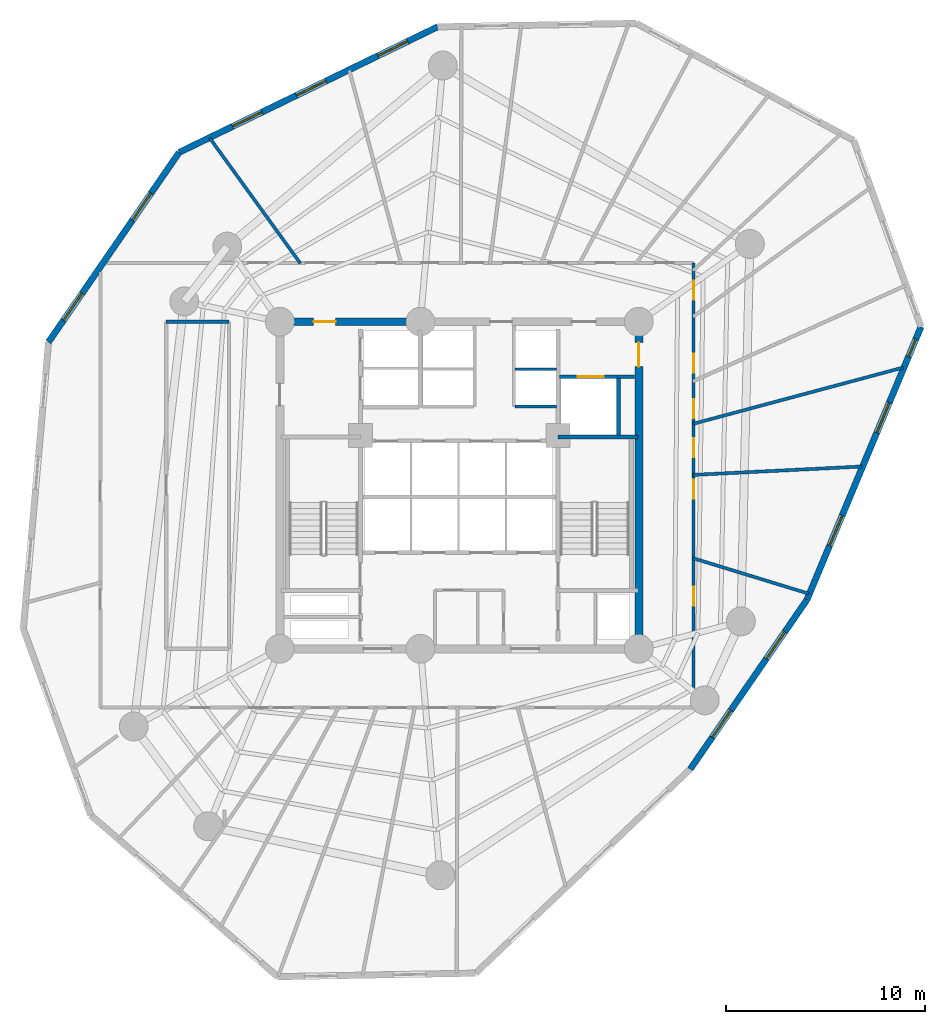
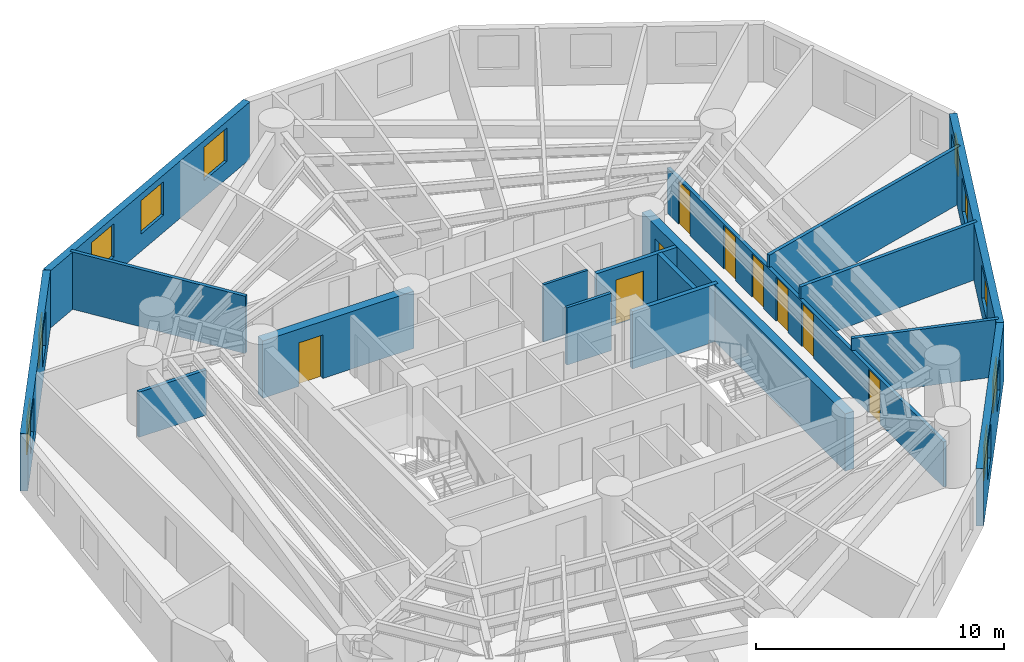
# One storey, part 5 of 8: 17 walls, 10 windows, 9 doors, 19 openings.
"""IFC4 building model written with IfcOpenShell, lengths in metres."""

from ifc_helpers import new_model, si_unit, direction, frame, frame_2d, origin, origin_with_axes, place, context, subcontext, project, spatial, rectangle, extrude, source, transform, mapped, material, layer, layer_set, type_object, element, fill, save


model = new_model("IFC4")

# Units and contexts
model_context = context("Model", 3, precision=1e-05, world=origin(), true_north=direction((0.0, 1.0)))
body_context = subcontext(model_context, "Body", "Model", "MODEL_VIEW")
ifc_project = project(units=[si_unit("LENGTHUNIT", "METRE"), si_unit("AREAUNIT", "SQUARE_METRE"), si_unit("VOLUMEUNIT", "CUBIC_METRE"), si_unit("PLANEANGLEUNIT", "RADIAN"), si_unit("MASSUNIT", "GRAM", prefix="KILO")], contexts=[model_context])

# Site, building, storey
site_placement = place(None, origin())
site = spatial("IfcSite", under=ifc_project, at=site_placement, CompositionType="ELEMENT")
building_placement = place(site_placement, origin())
building = spatial("IfcBuilding", under=site, at=building_placement, Name="Karkom Vertical University and Central Library", CompositionType="ELEMENT")
storey_placement = place(building_placement, frame((0.0, 0.0, 102.300048828125)))
storey = spatial("IfcBuildingStorey", under=building, at=storey_placement, Name="L27", CompositionType="ELEMENT", Elevation=102.300048828125)

# Wall, openings, windows
ifc_material_1 = material(Name="Brick-faced precast concrete C45/55", Category="masonry")
ifc_layer_1 = layer(ifc_material_1, 0.320068359375)
ifc_layer_set_1 = layer_set([ifc_layer_1], Name="Brick-faced precast concrete C45/55")
wall_type_1 = type_object("IfcWallType", Name="ENV-WL-BRK-320", PredefinedType="SOLIDWALL", material=ifc_layer_set_1)
wall_1_placement = place(storey_placement, frame((14.450927734375, 43.195556640625, 0.0), z_axis=(0.0, 0.0, 1.0), x_axis=(-0.567274361507, -0.823528869425, 0.0)))
wall_1 = element("IfcWall", 1, at=wall_1_placement, inside=storey, type_object=wall_type_1, Name="Level 27 Brick-Faced Precast Facade Wall 01", PredefinedType="SOLIDWALL", context=body_context, shape_type="SweptSolid", body=[
    extrude(rectangle(XDim=11.559326171875, YDim=0.320068359375, at=frame_2d((5.77978515625, 0.0))), origin(), (0.0, 0.0, 1.0), 2.824951171875),
])
opening_1_placement = place(wall_1_placement, frame((2.4892578125, 0.0, 0.85009765625)))
opening_1 = element("IfcOpeningElement", 2, at=opening_1_placement, cuts=wall_1, Name="Opening WN-06", PredefinedType="OPENING", context=body_context, shape_type="SweptSolid", body=[
    extrude(rectangle(XDim=1.64990234375, YDim=1.64990234375, at=frame_2d((0.824951171875, 0.824951171875))), frame((0.0, 0.169921875, 0.0), z_axis=(0.0, -1.0, 0.0), x_axis=(1.0, 0.0, 0.0)), (0.0, 0.0, 1.0), 0.340087890625),
])
opening_2_placement = place(wall_1_placement, frame((8.581298828125, 0.0, 0.85009765625)))
opening_2 = element("IfcOpeningElement", 3, at=opening_2_placement, cuts=wall_1, Name="Opening WN-06", PredefinedType="OPENING", context=body_context, shape_type="SweptSolid", body=[
    extrude(rectangle(XDim=1.64990234375, YDim=1.64990234375, at=frame_2d((0.824951171875, 0.824951171875))), frame((0.0, 0.169921875, 0.0), z_axis=(0.0, -1.0, 0.0), x_axis=(1.0, 0.0, 0.0)), (0.0, 0.0, 1.0), 0.340087890625),
])
ifc_material_2 = material(Name="Aluminium thermal-break frame with solar-control IGU", Category="aluminium")
window_type_1 = type_object("IfcWindowType", Name="ENV-WIN-WN-06", PartitioningType="SINGLE_PANEL", PredefinedType="WINDOW", material=ifc_material_2)
shared_shape_1 = source(origin_with_axes(), body_context, "Body", "SweptSolid", [
    extrude(rectangle(XDim=1.64990234375, YDim=1.64990234375, at=frame_2d((0.824951171875, 0.824951171875))), frame((0.0, 0.030029296875, 0.0), z_axis=(0.0, -1.0, 0.0), x_axis=(1.0, 0.0, 0.0)), (0.0, 0.0, 1.0), 0.06005859375),
])
window_1_placement = place(opening_1_placement, origin())
window_1 = element("IfcWindow", 4, at=window_1_placement, inside=storey, type_object=window_type_1, Name="Level 27 Punched Window 1.1", OverallHeight=1.64990234375, OverallWidth=1.64990234375, PartitioningType="SINGLE_PANEL", PredefinedType="WINDOW", context=body_context, shape_type="MappedRepresentation", body=[
    mapped(shared_shape_1, transform((0.0, 0.0, 0.0), scale=1.0)),
])
fill(opening_1, window_1)
window_2_placement = place(opening_2_placement, origin())
window_2 = element("IfcWindow", 5, at=window_2_placement, inside=storey, type_object=window_type_1, Name="Level 27 Punched Window 1.2", OverallHeight=1.64990234375, OverallWidth=1.64990234375, PartitioningType="SINGLE_PANEL", PredefinedType="WINDOW", context=body_context, shape_type="MappedRepresentation", body=[
    mapped(shared_shape_1, transform((0.0, 0.0, 0.0), scale=1.0)),
])
fill(opening_2, window_2)

wall_2_placement = place(storey_placement, frame((40.081787109375, 12.25634765625, 0.0), z_axis=(0.0, 0.0, 1.0), x_axis=(0.567268515961, 0.823532896003, 0.0)))
wall_2 = element("IfcWall", 6, at=wall_2_placement, inside=storey, type_object=wall_type_1, Name="Level 27 Brick-Faced Precast Facade Wall 07", PredefinedType="SOLIDWALL", context=body_context, shape_type="SweptSolid", body=[
    extrude(rectangle(XDim=10.320556640625, YDim=0.320068359375, at=frame_2d((5.16015625, 0.0))), origin(), (0.0, 0.0, 1.0), 2.824951171875),
])
opening_3_placement = place(wall_2_placement, frame((1.945068359375, 0.0, 0.85009765625)))
opening_3 = element("IfcOpeningElement", 7, at=opening_3_placement, cuts=wall_2, Name="Opening WN-06", PredefinedType="OPENING", context=body_context, shape_type="SweptSolid", body=[
    extrude(rectangle(XDim=1.64990234375, YDim=1.64990234375, at=frame_2d((0.824951171875, 0.824951171875))), frame((0.0, 0.169921875, 0.0), z_axis=(0.0, -1.0, 0.0), x_axis=(1.0, 0.0, 0.0)), (0.0, 0.0, 1.0), 0.340087890625),
])
opening_4_placement = place(wall_2_placement, frame((6.725341796875, 0.0, 0.85009765625)))
opening_4 = element("IfcOpeningElement", 8, at=opening_4_placement, cuts=wall_2, Name="Opening WN-06", PredefinedType="OPENING", context=body_context, shape_type="SweptSolid", body=[
    extrude(rectangle(XDim=1.64990234375, YDim=1.64990234375, at=frame_2d((0.824951171875, 0.824951171875))), frame((0.0, 0.169921875, 0.0), z_axis=(0.0, -1.0, 0.0), x_axis=(1.0, 0.0, 0.0)), (0.0, 0.0, 1.0), 0.340087890625),
])
window_3_placement = place(opening_3_placement, origin())
window_3 = element("IfcWindow", 9, at=window_3_placement, inside=storey, type_object=window_type_1, Name="Level 27 Punched Window 7.1", OverallHeight=1.64990234375, OverallWidth=1.64990234375, PartitioningType="SINGLE_PANEL", PredefinedType="WINDOW", context=body_context, shape_type="MappedRepresentation", body=[
    mapped(shared_shape_1, transform((0.0, 0.0, 0.0), scale=1.0)),
])
fill(opening_3, window_3)
window_4_placement = place(opening_4_placement, origin())
window_4 = element("IfcWindow", 10, at=window_4_placement, inside=storey, type_object=window_type_1, Name="Level 27 Punched Window 7.2", OverallHeight=1.64990234375, OverallWidth=1.64990234375, PartitioningType="SINGLE_PANEL", PredefinedType="WINDOW", context=body_context, shape_type="MappedRepresentation", body=[
    mapped(shared_shape_1, transform((0.0, 0.0, 0.0), scale=1.0)),
])
fill(opening_4, window_4)

wall_3_placement = place(storey_placement, frame((45.936279296875, 20.755615234375, 0.0), z_axis=(0.0, 0.0, 1.0), x_axis=(0.385481630265, 0.922715510181, 0.0)))
wall_3 = element("IfcWall", 11, at=wall_3_placement, inside=storey, type_object=wall_type_1, Name="Level 27 Brick-Faced Precast Facade Wall 08", PredefinedType="SOLIDWALL", context=body_context, shape_type="SweptSolid", body=[
    extrude(rectangle(XDim=14.84619140625, YDim=0.320068359375, at=frame_2d((7.423095703125, 0.0))), origin(), (0.0, 0.0, 1.0), 2.824951171875),
])
opening_5_placement = place(wall_3_placement, frame((2.94091796875, 0.0, 0.85009765625)))
opening_5 = element("IfcOpeningElement", 12, at=opening_5_placement, cuts=wall_3, Name="Opening WN-06", PredefinedType="OPENING", context=body_context, shape_type="SweptSolid", body=[
    extrude(rectangle(XDim=1.64990234375, YDim=1.64990234375, at=frame_2d((0.824951171875, 0.824951171875))), frame((0.0, 0.169921875, 0.0), z_axis=(0.0, -1.0, 0.0), x_axis=(1.0, 0.0, 0.0)), (0.0, 0.0, 1.0), 0.340087890625),
])
opening_6_placement = place(wall_3_placement, frame((9.076416015625, 0.0, 0.85009765625)))
opening_6 = element("IfcOpeningElement", 13, at=opening_6_placement, cuts=wall_3, Name="Opening WN-06", PredefinedType="OPENING", context=body_context, shape_type="SweptSolid", body=[
    extrude(rectangle(XDim=1.64990234375, YDim=1.64990234375, at=frame_2d((0.824951171875, 0.824951171875))), frame((0.0, 0.169921875, 0.0), z_axis=(0.0, -1.0, 0.0), x_axis=(1.0, 0.0, 0.0)), (0.0, 0.0, 1.0), 0.340087890625),
])
opening_7_placement = place(wall_3_placement, frame((13.211669921875, 0.0, 0.85009765625)))
opening_7 = element("IfcOpeningElement", 14, at=opening_7_placement, cuts=wall_3, Name="Opening WN-12", PredefinedType="OPENING", context=body_context, shape_type="SweptSolid", body=[
    extrude(rectangle(XDim=0.949951171875, YDim=1.5, at=frame_2d((0.47509765625, 0.75))), frame((0.0, 0.169921875, 0.0), z_axis=(0.0, -1.0, 0.0), x_axis=(1.0, 0.0, 0.0)), (0.0, 0.0, 1.0), 0.340087890625),
])
window_5_placement = place(opening_5_placement, origin())
window_5 = element("IfcWindow", 15, at=window_5_placement, inside=storey, type_object=window_type_1, Name="Level 27 Punched Window 8.1", OverallHeight=1.64990234375, OverallWidth=1.64990234375, PartitioningType="SINGLE_PANEL", PredefinedType="WINDOW", context=body_context, shape_type="MappedRepresentation", body=[
    mapped(shared_shape_1, transform((0.0, 0.0, 0.0), scale=1.0)),
])
fill(opening_5, window_5)
window_6_placement = place(opening_6_placement, origin())
window_6 = element("IfcWindow", 16, at=window_6_placement, inside=storey, type_object=window_type_1, Name="Level 27 Punched Window 8.2", OverallHeight=1.64990234375, OverallWidth=1.64990234375, PartitioningType="SINGLE_PANEL", PredefinedType="WINDOW", context=body_context, shape_type="MappedRepresentation", body=[
    mapped(shared_shape_1, transform((0.0, 0.0, 0.0), scale=1.0)),
])
fill(opening_6, window_6)
window_type_2 = type_object("IfcWindowType", Name="ENV-WIN-WN-12", PartitioningType="SINGLE_PANEL", PredefinedType="WINDOW", material=ifc_material_2)
shared_shape_2 = source(origin_with_axes(), body_context, "Body", "SweptSolid", [
    extrude(rectangle(XDim=0.949951171875, YDim=1.5, at=frame_2d((0.47509765625, 0.75))), frame((0.0, 0.030029296875, 0.0), z_axis=(0.0, -1.0, 0.0), x_axis=(1.0, 0.0, 0.0)), (0.0, 0.0, 1.0), 0.06005859375),
])
window_7_placement = place(opening_7_placement, origin())
window_7 = element("IfcWindow", 17, at=window_7_placement, inside=storey, type_object=window_type_2, Name="Level 27 Punched Window 8.3", OverallHeight=1.5, OverallWidth=0.949951171875, PartitioningType="SINGLE_PANEL", PredefinedType="WINDOW", context=body_context, shape_type="MappedRepresentation", body=[
    mapped(shared_shape_2, transform((0.0, 0.0, 0.0), scale=1.0)),
])
fill(opening_7, window_7)

wall_4_placement = place(storey_placement, frame((27.417724609375, 49.49560546875, 0.0), z_axis=(0.0, 0.0, 1.0), x_axis=(-0.899456619974, -0.437010055702, 0.0)))
wall_4 = element("IfcWall", 18, at=wall_4_placement, inside=storey, type_object=wall_type_1, Name="Level 27 Brick-Faced Precast Facade Wall 12", PredefinedType="SOLIDWALL", context=body_context, shape_type="SweptSolid", body=[
    extrude(rectangle(XDim=14.416259765625, YDim=0.320068359375, at=frame_2d((7.2080078125, 0.0))), origin(), (0.0, 0.0, 1.0), 2.824951171875),
])
opening_8_placement = place(wall_4_placement, frame((1.67919921875, 0.0, 0.85009765625)))
opening_8 = element("IfcOpeningElement", 19, at=opening_8_placement, cuts=wall_4, Name="Opening WN-06", PredefinedType="OPENING", context=body_context, shape_type="SweptSolid", body=[
    extrude(rectangle(XDim=1.64990234375, YDim=1.64990234375, at=frame_2d((0.824951171875, 0.824951171875))), frame((0.0, 0.169921875, 0.0), z_axis=(0.0, -1.0, 0.0), x_axis=(1.0, 0.0, 0.0)), (0.0, 0.0, 1.0), 0.340087890625),
])
opening_9_placement = place(wall_4_placement, frame((6.2255859375, 0.0, 0.85009765625)))
opening_9 = element("IfcOpeningElement", 20, at=opening_9_placement, cuts=wall_4, Name="Opening WN-06", PredefinedType="OPENING", context=body_context, shape_type="SweptSolid", body=[
    extrude(rectangle(XDim=1.64990234375, YDim=1.64990234375, at=frame_2d((0.824951171875, 0.824951171875))), frame((0.0, 0.169921875, 0.0), z_axis=(0.0, -1.0, 0.0), x_axis=(1.0, 0.0, 0.0)), (0.0, 0.0, 1.0), 0.340087890625),
])
opening_10_placement = place(wall_4_placement, frame((9.789794921875, 0.0, 0.85009765625)))
opening_10 = element("IfcOpeningElement", 21, at=opening_10_placement, cuts=wall_4, Name="Opening WN-06", PredefinedType="OPENING", context=body_context, shape_type="SweptSolid", body=[
    extrude(rectangle(XDim=1.64990234375, YDim=1.64990234375, at=frame_2d((0.824951171875, 0.824951171875))), frame((0.0, 0.169921875, 0.0), z_axis=(0.0, -1.0, 0.0), x_axis=(1.0, 0.0, 0.0)), (0.0, 0.0, 1.0), 0.340087890625),
])
window_8_placement = place(opening_8_placement, origin())
window_8 = element("IfcWindow", 22, at=window_8_placement, inside=storey, type_object=window_type_1, Name="Level 27 Punched Window 12.1", OverallHeight=1.64990234375, OverallWidth=1.64990234375, PartitioningType="SINGLE_PANEL", PredefinedType="WINDOW", context=body_context, shape_type="MappedRepresentation", body=[
    mapped(shared_shape_1, transform((0.0, 0.0, 0.0), scale=1.0)),
])
fill(opening_8, window_8)
window_9_placement = place(opening_9_placement, origin())
window_9 = element("IfcWindow", 23, at=window_9_placement, inside=storey, type_object=window_type_1, Name="Level 27 Punched Window 12.2", OverallHeight=1.64990234375, OverallWidth=1.64990234375, PartitioningType="SINGLE_PANEL", PredefinedType="WINDOW", context=body_context, shape_type="MappedRepresentation", body=[
    mapped(shared_shape_1, transform((0.0, 0.0, 0.0), scale=1.0)),
])
fill(opening_9, window_9)
window_10_placement = place(opening_10_placement, origin())
window_10 = element("IfcWindow", 24, at=window_10_placement, inside=storey, type_object=window_type_1, Name="Level 27 Punched Window 12.3", OverallHeight=1.64990234375, OverallWidth=1.64990234375, PartitioningType="SINGLE_PANEL", PredefinedType="WINDOW", context=body_context, shape_type="MappedRepresentation", body=[
    mapped(shared_shape_1, transform((0.0, 0.0, 0.0), scale=1.0)),
])
fill(opening_10, window_10)

# Wall, openings, doors
ifc_material_3 = material(Name="Insulated metal-stud drywall 160mm", Category="gypsum")
ifc_layer_2 = layer(ifc_material_3, 0.159912109375)
ifc_layer_set_2 = layer_set([ifc_layer_2], Name="Insulated metal-stud drywall 160mm")
wall_type_2 = type_object("IfcWallType", Name="INT-WL-COR-160", PredefinedType="PARTITIONING", material=ifc_layer_set_2)
wall_5_placement = place(storey_placement, frame((40.25, 37.64990234375, 0.0), z_axis=(0.0, 0.0, 1.0), x_axis=(0.0, -1.0, 0.0)))
wall_5 = element("IfcWall", 25, at=wall_5_placement, inside=storey, type_object=wall_type_2, Name="Level 27 Interior Partition Wall L27-CORW-CW-004", PredefinedType="PARTITIONING", context=body_context, shape_type="SweptSolid", body=[
    extrude(rectangle(XDim=22.2998046875, YDim=0.159912109375, at=frame_2d((11.14990234375, 0.0))), origin(), (0.0, 0.0, 1.0), 2.224853515625),
])
opening_11_placement = place(wall_5_placement, frame((16.25, 0.0, 0.0)))
opening_11 = element("IfcOpeningElement", 26, at=opening_11_placement, cuts=wall_5, Name="Opening D-RM1", PredefinedType="OPENING", context=body_context, shape_type="SweptSolid", body=[
    extrude(rectangle(XDim=0.949951171875, YDim=2.14990234375, at=frame_2d((0.47509765625, 1.074951171875))), frame((0.0, 0.08984375, 0.0), z_axis=(0.0, -1.0, 0.0), x_axis=(1.0, 0.0, 0.0)), (0.0, 0.0, 1.0), 0.179931640625),
])
opening_12_placement = place(wall_5_placement, frame((10.864990234375, 0.0, 0.0)))
opening_12 = element("IfcOpeningElement", 27, at=opening_12_placement, cuts=wall_5, Name="Opening D-RM1", PredefinedType="OPENING", context=body_context, shape_type="SweptSolid", body=[
    extrude(rectangle(XDim=0.949951171875, YDim=2.14990234375, at=frame_2d((0.47509765625, 1.074951171875))), frame((0.0, 0.08984375, 0.0), z_axis=(0.0, -1.0, 0.0), x_axis=(1.0, 0.0, 0.0)), (0.0, 0.0, 1.0), 0.179931640625),
])
opening_13_placement = place(wall_5_placement, frame((8.7978515625, 0.0, 0.0)))
opening_13 = element("IfcOpeningElement", 28, at=opening_13_placement, cuts=wall_5, Name="Opening D-RM1", PredefinedType="OPENING", context=body_context, shape_type="SweptSolid", body=[
    extrude(rectangle(XDim=0.949951171875, YDim=2.14990234375, at=frame_2d((0.47509765625, 1.074951171875))), frame((0.0, 0.08984375, 0.0), z_axis=(0.0, -1.0, 0.0), x_axis=(1.0, 0.0, 0.0)), (0.0, 0.0, 1.0), 0.179931640625),
])
opening_14_placement = place(wall_5_placement, frame((6.840087890625, 0.0, 0.0)))
opening_14 = element("IfcOpeningElement", 29, at=opening_14_placement, cuts=wall_5, Name="Opening D-RM1", PredefinedType="OPENING", context=body_context, shape_type="SweptSolid", body=[
    extrude(rectangle(XDim=0.949951171875, YDim=2.14990234375, at=frame_2d((0.47509765625, 1.074951171875))), frame((0.0, 0.08984375, 0.0), z_axis=(0.0, -1.0, 0.0), x_axis=(1.0, 0.0, 0.0)), (0.0, 0.0, 1.0), 0.179931640625),
])
opening_15_placement = place(wall_5_placement, frame((4.56005859375, 0.0, 0.0)))
opening_15 = element("IfcOpeningElement", 30, at=opening_15_placement, cuts=wall_5, Name="Opening D-RM1", PredefinedType="OPENING", context=body_context, shape_type="SweptSolid", body=[
    extrude(rectangle(XDim=0.949951171875, YDim=2.14990234375, at=frame_2d((0.47509765625, 1.074951171875))), frame((0.0, 0.08984375, 0.0), z_axis=(0.0, -1.0, 0.0), x_axis=(1.0, 0.0, 0.0)), (0.0, 0.0, 1.0), 0.179931640625),
])
opening_16_placement = place(wall_5_placement, frame((0.903076171875, 0.0, 0.0)))
opening_16 = element("IfcOpeningElement", 31, at=opening_16_placement, cuts=wall_5, Name="Opening D-RM1", PredefinedType="OPENING", context=body_context, shape_type="SweptSolid", body=[
    extrude(rectangle(XDim=0.949951171875, YDim=2.14990234375, at=frame_2d((0.47509765625, 1.074951171875))), frame((0.0, 0.08984375, 0.0), z_axis=(0.0, -1.0, 0.0), x_axis=(1.0, 0.0, 0.0)), (0.0, 0.0, 1.0), 0.179931640625),
])
ifc_material_4 = material(Name="Solid-core oak veneer door", Category="wood")
door_type_1 = type_object("IfcDoorType", Name="INT-DR-RM1", OperationType="NOTDEFINED", PredefinedType="DOOR", material=ifc_material_4)
shared_shape_3 = source(origin_with_axes(), body_context, "Body", "SweptSolid", [
    extrude(rectangle(XDim=0.949951171875, YDim=2.14990234375, at=frame_2d((0.47509765625, 1.074951171875))), frame((0.0, 0.02490234375, 0.0), z_axis=(0.0, -1.0, 0.0), x_axis=(1.0, 0.0, 0.0)), (0.0, 0.0, 1.0), 0.050048828125),
])
door_1_placement = place(opening_11_placement, origin())
door_1 = element("IfcDoor", 32, at=door_1_placement, inside=storey, type_object=door_type_1, Name="Level 27 Room Entry Door 100", OperationType="SINGLE_SWING_RIGHT", OverallHeight=2.14990234375, OverallWidth=0.949951171875, PredefinedType="DOOR", context=body_context, shape_type="MappedRepresentation", body=[
    mapped(shared_shape_3, transform((0.0, 0.0, 0.0), scale=1.0)),
])
fill(opening_11, door_1)
door_2_placement = place(opening_12_placement, origin())
door_2 = element("IfcDoor", 33, at=door_2_placement, inside=storey, type_object=door_type_1, Name="Level 27 Room Entry Door 110", OperationType="SINGLE_SWING_LEFT", OverallHeight=2.14990234375, OverallWidth=0.949951171875, PredefinedType="DOOR", context=body_context, shape_type="MappedRepresentation", body=[
    mapped(shared_shape_3, transform((0.0, 0.0, 0.0), scale=1.0)),
])
fill(opening_12, door_2)
door_3_placement = place(opening_13_placement, origin())
door_3 = element("IfcDoor", 34, at=door_3_placement, inside=storey, type_object=door_type_1, Name="Level 27 Room Entry Door 120", OperationType="SINGLE_SWING_RIGHT", OverallHeight=2.14990234375, OverallWidth=0.949951171875, PredefinedType="DOOR", context=body_context, shape_type="MappedRepresentation", body=[
    mapped(shared_shape_3, transform((0.0, 0.0, 0.0), scale=1.0)),
])
fill(opening_13, door_3)
door_4_placement = place(opening_14_placement, origin())
door_4 = element("IfcDoor", 35, at=door_4_placement, inside=storey, type_object=door_type_1, Name="Level 27 Room Entry Door 130", OperationType="SINGLE_SWING_LEFT", OverallHeight=2.14990234375, OverallWidth=0.949951171875, PredefinedType="DOOR", context=body_context, shape_type="MappedRepresentation", body=[
    mapped(shared_shape_3, transform((0.0, 0.0, 0.0), scale=1.0)),
])
fill(opening_14, door_4)
door_5_placement = place(opening_15_placement, origin())
door_5 = element("IfcDoor", 36, at=door_5_placement, inside=storey, type_object=door_type_1, Name="Level 27 Room Entry Door 140", OperationType="SINGLE_SWING_RIGHT", OverallHeight=2.14990234375, OverallWidth=0.949951171875, PredefinedType="DOOR", context=body_context, shape_type="MappedRepresentation", body=[
    mapped(shared_shape_3, transform((0.0, 0.0, 0.0), scale=1.0)),
])
fill(opening_15, door_5)
door_6_placement = place(opening_16_placement, origin())
door_6 = element("IfcDoor", 37, at=door_6_placement, inside=storey, type_object=door_type_1, Name="Level 27 Room Entry Door 150", OperationType="SINGLE_SWING_LEFT", OverallHeight=2.14990234375, OverallWidth=0.949951171875, PredefinedType="DOOR", context=body_context, shape_type="MappedRepresentation", body=[
    mapped(shared_shape_3, transform((0.0, 0.0, 0.0), scale=1.0)),
])
fill(opening_16, door_6)

# Walls
wall_6_placement = place(storey_placement, frame((40.220947265625, 29.579345703125, 0.0), z_axis=(0.0, 0.0, 1.0), x_axis=(0.965902903986, 0.258904577155, 0.0)))
element("IfcWall", 38, at=wall_6_placement, inside=storey, type_object=wall_type_2, Name="Level 27 Interior Partition Wall L27-PW-014", PredefinedType="PARTITIONING", context=body_context, shape_type="SweptSolid", body=[
    extrude(rectangle(XDim=10.912109375, YDim=0.159912109375, at=frame_2d((5.4560546875, 0.0))), origin(), (0.0, 0.0, 1.0), 2.824951171875),
])
wall_7_placement = place(storey_placement, frame((40.219970703125, 27.020263671875, 0.0), z_axis=(0.0, 0.0, 1.0), x_axis=(0.998777538766, 0.049431043459, 0.0)))
element("IfcWall", 39, at=wall_7_placement, inside=storey, type_object=wall_type_2, Name="Level 27 Interior Partition Wall L27-PW-013", PredefinedType="PARTITIONING", context=body_context, shape_type="SweptSolid", body=[
    extrude(rectangle(XDim=8.485107421875, YDim=0.159912109375, at=frame_2d((4.24267578125, 0.0))), origin(), (0.0, 0.0, 1.0), 2.824951171875),
])
wall_8_placement = place(storey_placement, frame((20.530517578125, 37.625732421875, 0.0), z_axis=(0.0, 0.0, 1.0), x_axis=(-0.585899541219, 0.810383691593, 0.0)))
element("IfcWall", 40, at=wall_8_placement, inside=storey, type_object=wall_type_2, Name="Level 27 Interior Partition Wall L27-PW-025", PredefinedType="PARTITIONING", context=body_context, shape_type="SweptSolid", body=[
    extrude(rectangle(XDim=7.757568359375, YDim=0.159912109375, at=frame_2d((3.87890625, 0.0))), origin(), (0.0, 0.0, 1.0), 2.824951171875),
])
wall_9_placement = place(storey_placement, frame((40.20703125, 22.847412109375, 0.0), z_axis=(0.0, 0.0, 1.0), x_axis=(0.956053908885, -0.293190933191, 0.0)))
element("IfcWall", 41, at=wall_9_placement, inside=storey, type_object=wall_type_2, Name="Level 27 Interior Partition Wall L27-PW-012", PredefinedType="PARTITIONING", context=body_context, shape_type="SweptSolid", body=[
    extrude(rectangle(XDim=6.096923828125, YDim=0.159912109375, at=frame_2d((3.04833984375, 0.0))), origin(), (0.0, 0.0, 1.0), 2.824951171875),
])
wall_10_placement = place(storey_placement, frame((16.949951171875, 34.699951171875, 0.0), z_axis=(0.0, 0.0, 1.0), x_axis=(-1.0, 0.0, 0.0)))
element("IfcWall", 42, at=wall_10_placement, inside=storey, type_object=wall_type_2, Name="Level 27 Interior Partition Wall L27-CORW-CW-005", PredefinedType="PARTITIONING", context=body_context, shape_type="SweptSolid", body=[
    extrude(rectangle(XDim=3.14990234375, YDim=0.159912109375, at=frame_2d((1.574951171875, 0.0))), origin(), (0.0, 0.0, 1.0), 2.224853515625),
])
ifc_material_5 = material(Name="Moisture-resistant drywall 120mm", Category="gypsum")
ifc_layer_3 = layer(ifc_material_5, 0.1201171875)
ifc_layer_set_3 = layer_set([ifc_layer_3], Name="Moisture-resistant drywall 120mm")
wall_type_3 = type_object("IfcWallType", Name="INT-WL-INT-120H", PredefinedType="PARTITIONING", material=ifc_layer_set_3)
wall_11_placement = place(storey_placement, frame((31.300048828125, 32.320068359375, 0.0), z_axis=(0.0, 0.0, 1.0), x_axis=(1.0, 0.0, 0.0)))
element("IfcWall", 43, at=wall_11_placement, inside=storey, type_object=wall_type_3, Name="Level 27 Interior Partition Wall L27-CW-PH-ME", PredefinedType="PARTITIONING", context=body_context, shape_type="SweptSolid", body=[
    extrude(rectangle(XDim=2.074951171875, YDim=0.1201171875, at=frame_2d((1.03759765625, 0.0))), origin(), (0.0, 0.0, 1.0), 2.824951171875),
])
ifc_material_6 = material(Name="Metal-stud gypsum partition 140mm", Category="gypsum")
ifc_layer_4 = layer(ifc_material_6, 0.139892578125)
ifc_layer_set_4 = layer_set([ifc_layer_4], Name="Metal-stud gypsum partition 140mm")
wall_type_4 = type_object("IfcWallType", Name="INT-WL-SUB-140H", PredefinedType="PARTITIONING", material=ifc_layer_set_4)
wall_12_placement = place(storey_placement, frame((31.300048828125, 30.449951171875, 0.0), z_axis=(0.0, 0.0, 1.0), x_axis=(1.0, 0.0, 0.0)))
element("IfcWall", 44, at=wall_12_placement, inside=storey, type_object=wall_type_4, Name="Level 27 Interior Partition Wall L27-CW-PH-S2", PredefinedType="PARTITIONING", context=body_context, shape_type="SweptSolid", body=[
    extrude(rectangle(XDim=2.074951171875, YDim=0.139892578125, at=frame_2d((1.03759765625, 0.0))), origin(), (0.0, 0.0, 1.0), 2.824951171875),
])

# Wall, opening, door
ifc_material_7 = material(Name="Twin-stud acoustic drywall 180mm", Category="gypsum")
ifc_layer_5 = layer(ifc_material_7, 0.179931640625)
ifc_layer_set_5 = layer_set([ifc_layer_5], Name="Twin-stud acoustic drywall 180mm")
wall_type_5 = type_object("IfcWallType", Name="INT-WL-TEN-180F", PredefinedType="PARTITIONING", material=ifc_layer_set_5)
wall_13_placement = place(storey_placement, frame((33.534912109375, 31.949951171875, 0.0), z_axis=(0.0, 0.0, 1.0), x_axis=(1.0, 0.0, 0.0)))
wall_13 = element("IfcWall", 45, at=wall_13_placement, inside=storey, type_object=wall_type_5, Name="Level 27 Interior Partition Wall L27-CW-SVL-N", PredefinedType="PARTITIONING", context=body_context, shape_type="SweptSolid", body=[
    extrude(rectangle(XDim=3.7587890625, YDim=0.179931640625, at=frame_2d((1.87939453125, 0.0))), origin(), (0.0, 0.0, 1.0), 2.824951171875),
])
opening_17_placement = place(wall_13_placement, frame((0.89990234375, 0.0, 0.0)))
opening_17 = element("IfcOpeningElement", 46, at=opening_17_placement, cuts=wall_13, Name="Opening LD-SV1", PredefinedType="OPENING", context=body_context, shape_type="SweptSolid", body=[
    extrude(rectangle(XDim=1.300048828125, YDim=2.199951171875, at=frame_2d((0.64990234375, 1.10009765625))), frame((0.0, 0.10009765625, 0.0), z_axis=(0.0, -1.0, 0.0), x_axis=(1.0, 0.0, 0.0)), (0.0, 0.0, 1.0), 0.199951171875),
])
ifc_material_8 = material(Name="Brushed stainless-steel landing door", Category="steel")
door_type_2 = type_object("IfcDoorType", Name="INT-DR-LD-SV1", OperationType="SLIDING_TO_LEFT", PredefinedType="DOOR", material=ifc_material_8)
shared_shape_4 = source(origin_with_axes(), body_context, "Body", "SweptSolid", [
    extrude(rectangle(XDim=1.300048828125, YDim=2.199951171875, at=frame_2d((0.64990234375, 1.10009765625))), frame((0.0, 0.02490234375, 0.0), z_axis=(0.0, -1.0, 0.0), x_axis=(1.0, 0.0, 0.0)), (0.0, 0.0, 1.0), 0.050048828125),
])
door_7_placement = place(opening_17_placement, origin())
door_7 = element("IfcDoor", 47, at=door_7_placement, inside=storey, type_object=door_type_2, Name="Level 27 Service Lift Landing Door LD-SV1", OperationType="SLIDING_TO_LEFT", OverallHeight=2.199951171875, OverallWidth=1.300048828125, PredefinedType="DOOR", context=body_context, shape_type="MappedRepresentation", body=[
    mapped(shared_shape_4, transform((0.0, 0.0, 0.0), scale=1.0)),
])
fill(opening_17, door_7)

ifc_material_9 = material(Name="Concrete C50/60", Category="concrete")
ifc_layer_6 = layer(ifc_material_9, 0.39990234375)
ifc_layer_set_6 = layer_set([ifc_layer_6], Name="Concrete C50/60")
wall_type_6 = type_object("IfcWallType", Name="STR-WL-CW-400", PredefinedType="SHEAR", material=ifc_layer_set_6)
wall_14_placement = place(storey_placement, frame((37.5, 18.300048828125, 0.0), z_axis=(0.0, 0.0, 1.0), x_axis=(0.0, 1.0, 0.0)))
wall_14 = element("IfcWall", 48, at=wall_14_placement, inside=storey, type_object=wall_type_6, Name="Level 27 Central Core Shear Wall EW", PredefinedType="SHEAR", context=body_context, shape_type="SweptSolid", body=[
    extrude(rectangle(XDim=16.39990234375, YDim=0.39990234375, at=frame_2d((8.199951171875, 0.0))), origin(), (0.0, 0.0, 1.0), 2.824951171875),
])
opening_18_placement = place(wall_14_placement, frame((14.14990234375, 0.0, 0.0)))
opening_18 = element("IfcOpeningElement", 49, at=opening_18_placement, cuts=wall_14, Name="Opening FD-SUB1", PredefinedType="OPENING", context=body_context, shape_type="SweptSolid", body=[
    extrude(rectangle(XDim=1.199951171875, YDim=2.14990234375, at=frame_2d((0.60009765625, 1.074951171875))), frame((0.0, 0.2099609375, 0.0), z_axis=(0.0, -1.0, 0.0), x_axis=(1.0, 0.0, 0.0)), (0.0, 0.0, 1.0), 0.419921875),
])
ifc_material_10 = material(Name="Painted steel fire door", Category="steel")
door_type_3 = type_object("IfcDoorType", Name="INT-DR-SUB1", OperationType="NOTDEFINED", PredefinedType="DOOR", material=ifc_material_10)
shared_shape_5 = source(origin_with_axes(), body_context, "Body", "SweptSolid", [
    extrude(rectangle(XDim=1.199951171875, YDim=2.14990234375, at=frame_2d((0.60009765625, 1.074951171875))), frame((0.0, 0.02490234375, 0.0), z_axis=(0.0, -1.0, 0.0), x_axis=(1.0, 0.0, 0.0)), (0.0, 0.0, 1.0), 0.050048828125),
])
door_8_placement = place(opening_18_placement, origin())
door_8 = element("IfcDoor", 50, at=door_8_placement, inside=storey, type_object=door_type_3, Name="Level 27 East Corridor Service Lobby Door", OperationType="SINGLE_SWING_RIGHT", OverallHeight=2.14990234375, OverallWidth=1.199951171875, PredefinedType="DOOR", context=body_context, shape_type="MappedRepresentation", body=[
    mapped(shared_shape_5, transform((0.0, 0.0, 0.0), scale=1.0)),
])
fill(opening_18, door_8)

wall_15_placement = place(storey_placement, frame((26.550048828125, 34.699951171875, 0.0), z_axis=(0.0, 0.0, 1.0), x_axis=(-1.0, 0.0, 0.0)))
wall_15 = element("IfcWall", 51, at=wall_15_placement, inside=storey, type_object=wall_type_6, Name="Level 27 Central Core Shear Wall NW2", PredefinedType="SHEAR", context=body_context, shape_type="SweptSolid", body=[
    extrude(rectangle(XDim=7.050048828125, YDim=0.39990234375, at=frame_2d((3.52490234375, 0.0))), origin(), (0.0, 0.0, 1.0), 2.824951171875),
])
opening_19_placement = place(wall_15_placement, frame((4.25, 0.0, 0.0)))
opening_19 = element("IfcOpeningElement", 52, at=opening_19_placement, cuts=wall_15, Name="Opening FD-FFL", PredefinedType="OPENING", context=body_context, shape_type="SweptSolid", body=[
    extrude(rectangle(XDim=1.10009765625, YDim=2.14990234375, at=frame_2d((0.550048828125, 1.074951171875))), frame((0.0, 0.2099609375, 0.0), z_axis=(0.0, -1.0, 0.0), x_axis=(1.0, 0.0, 0.0)), (0.0, 0.0, 1.0), 0.419921875),
])
ifc_material_11 = material(Name="Painted steel smoke-seal fire door", Category="steel")
door_type_4 = type_object("IfcDoorType", Name="INT-DR-FFL", OperationType="NOTDEFINED", PredefinedType="DOOR", material=ifc_material_11)
shared_shape_6 = source(origin_with_axes(), body_context, "Body", "SweptSolid", [
    extrude(rectangle(XDim=1.10009765625, YDim=2.14990234375, at=frame_2d((0.550048828125, 1.074951171875))), frame((0.0, 0.02490234375, 0.0), z_axis=(0.0, -1.0, 0.0), x_axis=(1.0, 0.0, 0.0)), (0.0, 0.0, 1.0), 0.050048828125),
])
door_9_placement = place(opening_19_placement, origin())
door_9 = element("IfcDoor", 53, at=door_9_placement, inside=storey, type_object=door_type_4, Name="Level 27 Firefighting Lobby Door", OperationType="SINGLE_SWING_RIGHT", OverallHeight=2.14990234375, OverallWidth=1.10009765625, PredefinedType="DOOR", context=body_context, shape_type="MappedRepresentation", body=[
    mapped(shared_shape_6, transform((0.0, 0.0, 0.0), scale=1.0)),
])
fill(opening_19, door_9)

# Walls
ifc_material_12 = material(Name="Concrete C45/55", Category="concrete")
ifc_layer_7 = layer(ifc_material_12, 0.199951171875)
ifc_layer_set_7 = layer_set([ifc_layer_7], Name="Concrete C45/55")
wall_type_7 = type_object("IfcWallType", Name="STR-WL-ST-200", PredefinedType="SHEAR", material=ifc_layer_set_7)
wall_16_placement = place(storey_placement, frame((33.455078125, 28.925048828125, 0.0), z_axis=(0.0, 0.0, 1.0), x_axis=(1.0, 0.0, 0.0)))
element("IfcWall", 54, at=wall_16_placement, inside=storey, type_object=wall_type_7, Name="Level 27 Core Shaft Wall L27-CW-ST2-N", PredefinedType="SHEAR", context=body_context, shape_type="SweptSolid", body=[
    extrude(rectangle(XDim=3.994873046875, YDim=0.199951171875, at=frame_2d((1.99755859375, 0.0))), origin(), (0.0, 0.0, 1.0), 2.824951171875),
])
wall_17_placement = place(storey_placement, frame((36.47998046875, 29.02001953125, 0.0), z_axis=(0.0, 0.0, 1.0), x_axis=(0.0, 1.0, 0.0)))
element("IfcWall", 55, at=wall_17_placement, inside=storey, type_object=wall_type_7, Name="Level 27 Core Shaft Wall L27-CW-SVL-E", PredefinedType="SHEAR", context=body_context, shape_type="SweptSolid", body=[
    extrude(rectangle(XDim=2.85986328125, YDim=0.199951171875, at=frame_2d((1.429931640625, 0.0))), origin(), (0.0, 0.0, 1.0), 2.824951171875),
])

save(model, "model.ifc")
